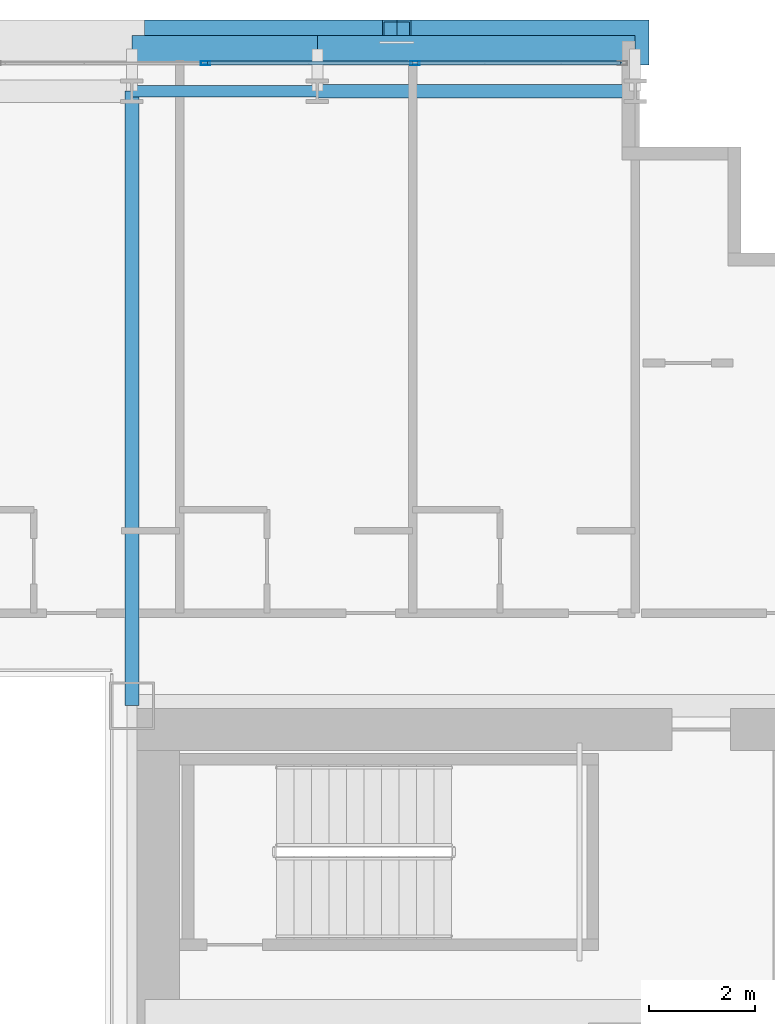
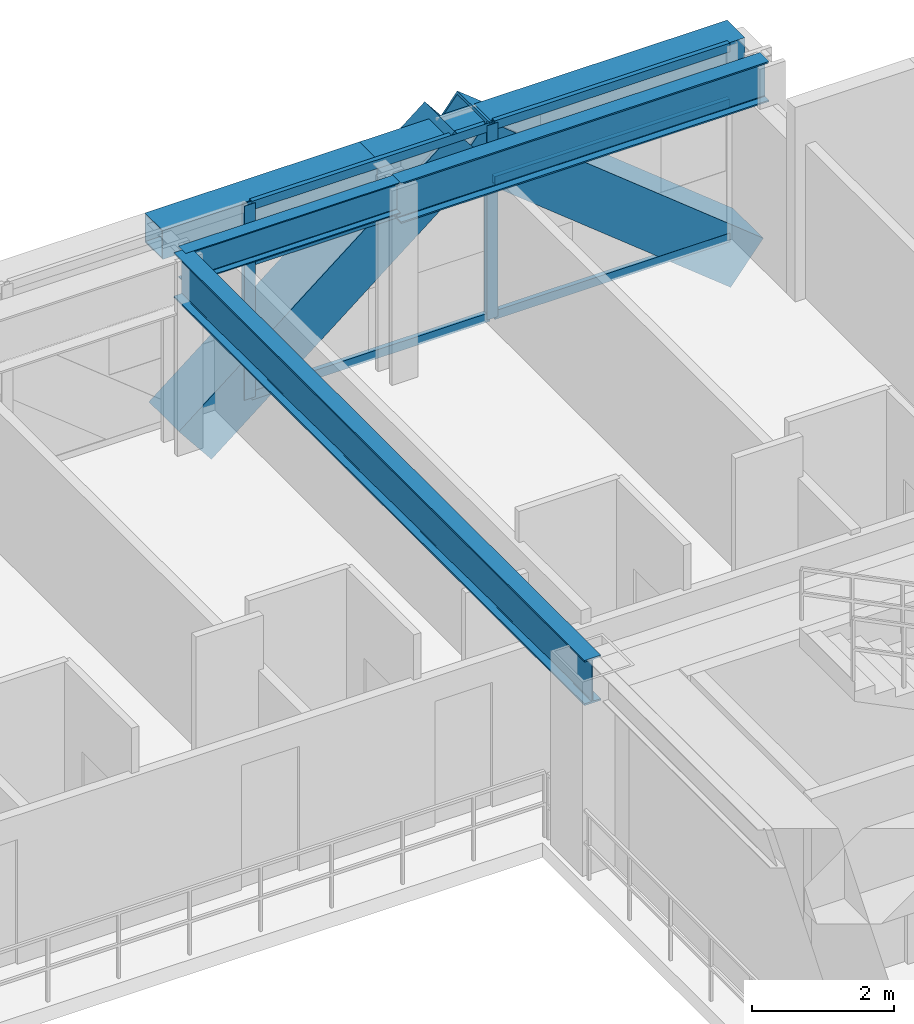
# One storey, part 21 of 36: 10 members, 5 beams, 1 element without a shape of its own.
"""IFC4 building model written with IfcOpenShell, lengths in metres."""

from ifc_helpers import new_model, si_unit, direction, frame, origin, origin_2d, place, context, subcontext, project, spatial, hollow_rectangle, i_section, extrude, source, transform, mapped, material, layer, layer_set, material_profile, profile_set, type_object, element, aggregate, save


model = new_model("IFC4")

# Units and contexts
model_context = context("Model", 3, precision=1e-05, world=origin(), true_north=direction((0.0, 1.0)))
body_context = subcontext(model_context, "Body", "Model", "MODEL_VIEW")
ifc_project = project(units=[si_unit("LENGTHUNIT", "METRE"), si_unit("AREAUNIT", "SQUARE_METRE"), si_unit("VOLUMEUNIT", "CUBIC_METRE"), si_unit("PLANEANGLEUNIT", "RADIAN"), si_unit("MASSUNIT", "GRAM", prefix="KILO")], contexts=[model_context])

# Site, building, storey
site_placement = place(None, origin())
site = spatial("IfcSite", under=ifc_project, at=site_placement, CompositionType="ELEMENT")
building_placement = place(site_placement, origin())
building = spatial("IfcBuilding", under=site, at=building_placement, Name="Ocotamira Hotel", CompositionType="ELEMENT")
storey_placement = place(building_placement, frame((0.0, 0.0, 42.0)))
storey = spatial("IfcBuildingStorey", under=building, at=storey_placement, Name="L09", CompositionType="ELEMENT", Elevation=42.0)

# Beams
ifc_material_1 = material(Name="Steel ASTM A992 Grade 50", Category="steel")
ifc_material_profile_1 = material_profile(ifc_material_1, i_section(OverallWidth=0.256103515625, OverallDepth=0.693115234375, WebThickness=0.014404296875, FlangeThickness=0.023681640625, FilletRadius=0.01611328125, at=origin_2d()), Name="W27X114")
ifc_profile_set_1 = profile_set([ifc_material_profile_1], Name="Steel ASTM A992 Grade 50")
beam_type_1 = type_object("IfcBeamType", Name="BM-PRIM-W27X114", PredefinedType="BEAM", material=ifc_profile_set_1)
shared_shape_1 = source(origin(), body_context, "Body", "SweptSolid", [
    extrude(i_section(OverallWidth=0.256103515625, OverallDepth=0.693115234375, WebThickness=0.014404296875, FlangeThickness=0.023681640625, FilletRadius=0.01611328125, at=origin_2d()), origin(), (0.0, 0.0, 1.0), 6.0),
])
beam_1_placement = place(storey_placement, frame((44.0, 49.050048828125, 3.00341796875), z_axis=(1.0, 0.0, 0.0), x_axis=(0.0, 1.0, 0.0)))
element("IfcBeam", 1, at=beam_1_placement, inside=storey, type_object=beam_type_1, Name="L09 Girder Y49.05 X44-50", PredefinedType="BEAM", context=body_context, shape_type="MappedRepresentation", body=[
    mapped(shared_shape_1, transform((0.0, 0.0, 0.0), scale=1.0)),
])
ifc_material_profile_2 = material_profile(ifc_material_1, i_section(OverallWidth=0.2099609375, OverallDepth=0.537109375, WebThickness=0.010986328125, FlangeThickness=0.017333984375, FilletRadius=0.012939453125, at=origin_2d()), Name="W21X68")
ifc_profile_set_2 = profile_set([ifc_material_profile_2], Name="Steel ASTM A992 Grade 50")
beam_type_2 = type_object("IfcBeamType", Name="BM-SEC-W21X68", PredefinedType="JOIST", material=ifc_profile_set_2)
shared_shape_2 = source(origin(), body_context, "Body", "SweptSolid", [
    extrude(i_section(OverallWidth=0.2099609375, OverallDepth=0.537109375, WebThickness=0.010986328125, FlangeThickness=0.017333984375, FilletRadius=0.012939453125, at=origin_2d()), origin(), (0.0, 0.0, 1.0), 3.5),
])
beam_2_placement = place(storey_placement, frame((40.5, 49.050048828125, 3.08154296875), z_axis=(1.0, 0.0, 0.0), x_axis=(0.0, 1.0, 0.0)))
element("IfcBeam", 2, at=beam_2_placement, inside=storey, type_object=beam_type_2, Name="L09 Girder Y49.05 X40.5-44", PredefinedType="JOIST", context=body_context, shape_type="MappedRepresentation", body=[
    mapped(shared_shape_2, transform((0.0, 0.0, 0.0), scale=1.0)),
])
ifc_material_profile_3 = material_profile(ifc_material_1, i_section(OverallWidth=0.26611328125, OverallDepth=0.779052734375, WebThickness=0.0166015625, FlangeThickness=0.030029296875, FilletRadius=0.01806640625, at=origin_2d()), Name="W30X148")
ifc_profile_set_3 = profile_set([ifc_material_profile_3], Name="Steel ASTM A992 Grade 50")
beam_type_3 = type_object("IfcBeamType", Name="BM-GIRD-W30X148", PredefinedType="BEAM", material=ifc_profile_set_3)
shared_shape_3 = source(origin(), body_context, "Body", "SweptSolid", [
    extrude(i_section(OverallWidth=0.26611328125, OverallDepth=0.779052734375, WebThickness=0.0166015625, FlangeThickness=0.030029296875, FilletRadius=0.01806640625, at=origin_2d()), origin(), (0.0, 0.0, 1.0), 11.60009765625),
])
beam_3_placement = place(storey_placement, frame((40.5, 37.449951171875, 2.96044921875), z_axis=(0.0, 1.0, 0.0), x_axis=(-1.0, 0.0, 0.0)))
element("IfcBeam", 3, at=beam_3_placement, inside=storey, type_object=beam_type_3, Name="L09 Beam X40.5 Y37.45-49.05", PredefinedType="BEAM", context=body_context, shape_type="MappedRepresentation", body=[
    mapped(shared_shape_3, transform((0.0, 0.0, 0.0), scale=1.0)),
])
ifc_material_2 = material(Name="Steel ASTM A500 Grade C", Category="steel")
ifc_material_profile_4 = material_profile(ifc_material_2, hollow_rectangle(XDim=0.5, YDim=0.5, WallThickness=0.02001953125, at=origin_2d()), Name="HSS500X500X20")
ifc_profile_set_4 = profile_set([ifc_material_profile_4], Name="Steel ASTM A500 Grade C")
beam_type_4 = type_object("IfcBeamType", Name="BM-SPAN-HSS500", PredefinedType="USERDEFINED", material=ifc_profile_set_4)
shared_shape_4 = source(origin(), body_context, "Body", "SweptSolid", [
    extrude(hollow_rectangle(XDim=0.5, YDim=0.5, WallThickness=0.02001953125, at=origin_2d()), origin(), (0.0, 0.0, 1.0), 6.0),
])
beam_4_placement = place(storey_placement, frame((44.0, 49.85009765625, 3.10009765625), z_axis=(1.0, 0.0, 0.0), x_axis=(0.0, 1.0, 0.0)))
element("IfcBeam", 4, at=beam_4_placement, inside=storey, type_object=beam_type_4, Name="L09 Edge Spandrel N X44-50", ObjectType="SPANDREL", PredefinedType="USERDEFINED", context=body_context, shape_type="MappedRepresentation", body=[
    mapped(shared_shape_4, transform((0.0, 0.0, 0.0), scale=1.0)),
])
shared_shape_5 = source(origin(), body_context, "Body", "SweptSolid", [
    extrude(hollow_rectangle(XDim=0.5, YDim=0.5, WallThickness=0.02001953125, at=origin_2d()), origin(), (0.0, 0.0, 1.0), 3.5),
])
beam_5_placement = place(storey_placement, frame((40.5, 49.85009765625, 3.10009765625), z_axis=(1.0, 0.0, 0.0), x_axis=(0.0, 1.0, 0.0)))
element("IfcBeam", 5, at=beam_5_placement, inside=storey, type_object=beam_type_4, Name="L09 Edge Spandrel N X40.5-44", ObjectType="SPANDREL", PredefinedType="USERDEFINED", context=body_context, shape_type="MappedRepresentation", body=[
    mapped(shared_shape_5, transform((0.0, 0.0, 0.0), scale=1.0)),
])

# Members
ifc_material_3 = material(Name="Pale-metal coated steel ASTM A913 Grade 65", Category="steel")
ifc_material_profile_5 = material_profile(ifc_material_3, hollow_rectangle(XDim=0.85009765625, YDim=0.85009765625, WallThickness=0.035888671875, at=origin_2d()), Name="BOX850X850X36")
ifc_profile_set_5 = profile_set([ifc_material_profile_5], Name="Pale-metal coated steel ASTM A913 Grade 65")
member_type_1 = type_object("IfcMemberType", Name="MEM-EXO-BOX850", PredefinedType="BRACE", material=ifc_profile_set_5)
shared_shape_6 = source(origin(), body_context, "Body", "SweptSolid", [
    extrude(hollow_rectangle(XDim=0.85009765625, YDim=0.85009765625, WallThickness=0.035888671875, at=origin_2d()), origin(), (0.0, 0.0, 1.0), 5.762939453125),
])
for number, where, z_axis, x_axis, name in (
    (6, (41.0, 49.969970703125, -0.5), (0.780860543151, 0.0, 0.624705380279), (0.0, 1.0, 0.0), "L09 Exoskeleton Diagrid N3.1"),
    (7, (50.0, 49.969970703125, -0.5), (-0.780860543151, 0.0, 0.624705380279), (0.0, -1.0, 0.0), "L09 Exoskeleton Diagrid N3.2"),
):
    element("IfcMember", number, at=place(storey_placement, frame(where, z_axis=z_axis, x_axis=x_axis)), inside=storey, type_object=member_type_1, Name=name, PredefinedType="BRACE", context=body_context, shape_type="MappedRepresentation", body=[
        mapped(shared_shape_6, transform((0.0, 0.0, 0.0), scale=1.0)),
    ])

# Curtain wall, members
ifc_material_4 = material(Name="Anodised pale-metal aluminium and solar glass", Category="aluminium")
ifc_layer = layer(ifc_material_4, 0.179931640625)
ifc_layer_set = layer_set([ifc_layer], Name="Anodised pale-metal aluminium and solar glass")
curtain_wall_type = type_object("IfcCurtainWallType", Name="CW-SYS2-Z1", PredefinedType="NOTDEFINED", material=ifc_layer_set)
curtain_wall_placement = place(storey_placement, origin())
curtain_wall = element("IfcCurtainWall", 8, at=curtain_wall_placement, inside=storey, type_object=curtain_wall_type, Name="L09 Curtain Wall CW-2 CW-L09-N", PredefinedType="NOTDEFINED")
ifc_material_5 = material(Name="Anodised pale-metal aluminium 6063-T6", Category="aluminium")
ifc_material_profile_6 = material_profile(ifc_material_5, hollow_rectangle(XDim=0.074951171875, YDim=0.14990234375, WallThickness=0.006103515625, at=origin_2d()), Name="HSS150X75X6")
ifc_profile_set_6 = profile_set([ifc_material_profile_6], Name="Anodised pale-metal aluminium 6063-T6")
member_type_2 = type_object("IfcMemberType", Name="CWT-150X75", PredefinedType="USERDEFINED", material=ifc_profile_set_6)
shared_shape_7 = source(origin(), body_context, "Body", "SweptSolid", [
    extrude(hollow_rectangle(XDim=0.074951171875, YDim=0.14990234375, WallThickness=0.006103515625, at=origin_2d()), origin(), (0.0, 0.0, 1.0), 3.83544921875),
])
member_1_placement = place(storey_placement, frame((45.884521484375, 49.580078125, 0.03759765625), z_axis=(1.0, 0.0, 0.0), x_axis=(0.0, 1.0, 0.0)))
member_1 = element("IfcMember", 9, at=member_1_placement, type_object=member_type_2, Name="CW-2 transom 9.1", ObjectType="TRANSOM", PredefinedType="USERDEFINED", context=body_context, shape_type="MappedRepresentation", body=[
    mapped(shared_shape_7, transform((0.0, 0.0, 0.0), scale=1.0)),
])
member_2_placement = place(storey_placement, frame((45.884521484375, 49.580078125, 2.35009765625), z_axis=(1.0, 0.0, 0.0), x_axis=(0.0, 1.0, 0.0)))
member_2 = element("IfcMember", 10, at=member_2_placement, type_object=member_type_2, Name="CW-2 transom 9.2", ObjectType="TRANSOM", PredefinedType="USERDEFINED", context=body_context, shape_type="MappedRepresentation", body=[
    mapped(shared_shape_7, transform((0.0, 0.0, 0.0), scale=1.0)),
])
member_3_placement = place(storey_placement, frame((45.884521484375, 49.580078125, 3.3125), z_axis=(1.0, 0.0, 0.0), x_axis=(0.0, 1.0, 0.0)))
member_3 = element("IfcMember", 11, at=member_3_placement, type_object=member_type_2, Name="CW-2 transom 9.3", ObjectType="TRANSOM", PredefinedType="USERDEFINED", context=body_context, shape_type="MappedRepresentation", body=[
    mapped(shared_shape_7, transform((0.0, 0.0, 0.0), scale=1.0)),
])
shared_shape_8 = source(origin(), body_context, "Body", "SweptSolid", [
    extrude(hollow_rectangle(XDim=0.074951171875, YDim=0.14990234375, WallThickness=0.006103515625, at=origin_2d()), origin(), (0.0, 0.0, 1.0), 3.87548828125),
])
member_4_placement = place(storey_placement, frame((41.928955078125, 49.580078125, 0.03759765625), z_axis=(1.0, 0.0, 0.0), x_axis=(0.0, 1.0, 0.0)))
member_4 = element("IfcMember", 12, at=member_4_placement, type_object=member_type_2, Name="CW-2 transom 8.1", ObjectType="TRANSOM", PredefinedType="USERDEFINED", context=body_context, shape_type="MappedRepresentation", body=[
    mapped(shared_shape_8, transform((0.0, 0.0, 0.0), scale=1.0)),
])
member_5_placement = place(storey_placement, frame((41.928955078125, 49.580078125, 2.35009765625), z_axis=(1.0, 0.0, 0.0), x_axis=(0.0, 1.0, 0.0)))
member_5 = element("IfcMember", 13, at=member_5_placement, type_object=member_type_2, Name="CW-2 transom 8.2", ObjectType="TRANSOM", PredefinedType="USERDEFINED", context=body_context, shape_type="MappedRepresentation", body=[
    mapped(shared_shape_8, transform((0.0, 0.0, 0.0), scale=1.0)),
])
member_6_placement = place(storey_placement, frame((41.928955078125, 49.580078125, 3.3125), z_axis=(1.0, 0.0, 0.0), x_axis=(0.0, 1.0, 0.0)))
member_6 = element("IfcMember", 14, at=member_6_placement, type_object=member_type_2, Name="CW-2 transom 8.3", ObjectType="TRANSOM", PredefinedType="USERDEFINED", context=body_context, shape_type="MappedRepresentation", body=[
    mapped(shared_shape_8, transform((0.0, 0.0, 0.0), scale=1.0)),
])
ifc_material_profile_7 = material_profile(ifc_material_5, hollow_rectangle(XDim=0.080078125, YDim=0.179931640625, WallThickness=0.006103515625, at=origin_2d()), Name="HSS180X80X6")
ifc_profile_set_7 = profile_set([ifc_material_profile_7], Name="Anodised pale-metal aluminium 6063-T6")
member_type_3 = type_object("IfcMemberType", Name="CWM-180X75", PredefinedType="MULLION", material=ifc_profile_set_7)
shared_shape_9 = source(origin(), body_context, "Body", "SweptSolid", [
    extrude(hollow_rectangle(XDim=0.080078125, YDim=0.179931640625, WallThickness=0.006103515625, at=origin_2d()), origin(), (0.0, 0.0, 1.0), 3.35009765625),
])
member_7_placement = place(storey_placement, frame((41.888916015625, 49.580078125, 0.0), z_axis=(0.0, 0.0, 1.0), x_axis=(0.0, 1.0, 0.0)))
member_7 = element("IfcMember", 15, at=member_7_placement, type_object=member_type_3, Name="CW-2 mullion 8", PredefinedType="MULLION", context=body_context, shape_type="MappedRepresentation", body=[
    mapped(shared_shape_9, transform((0.0, 0.0, 0.0), scale=1.0)),
])
member_8_placement = place(storey_placement, frame((45.844482421875, 49.580078125, 0.0), z_axis=(0.0, 0.0, 1.0), x_axis=(0.0, 1.0, 0.0)))
member_8 = element("IfcMember", 16, at=member_8_placement, type_object=member_type_3, Name="CW-2 mullion 9", PredefinedType="MULLION", context=body_context, shape_type="MappedRepresentation", body=[
    mapped(shared_shape_9, transform((0.0, 0.0, 0.0), scale=1.0)),
])
aggregate(curtain_wall, [member_7, member_8, member_4, member_5, member_6, member_1, member_2, member_3])

save(model, "model.ifc")
